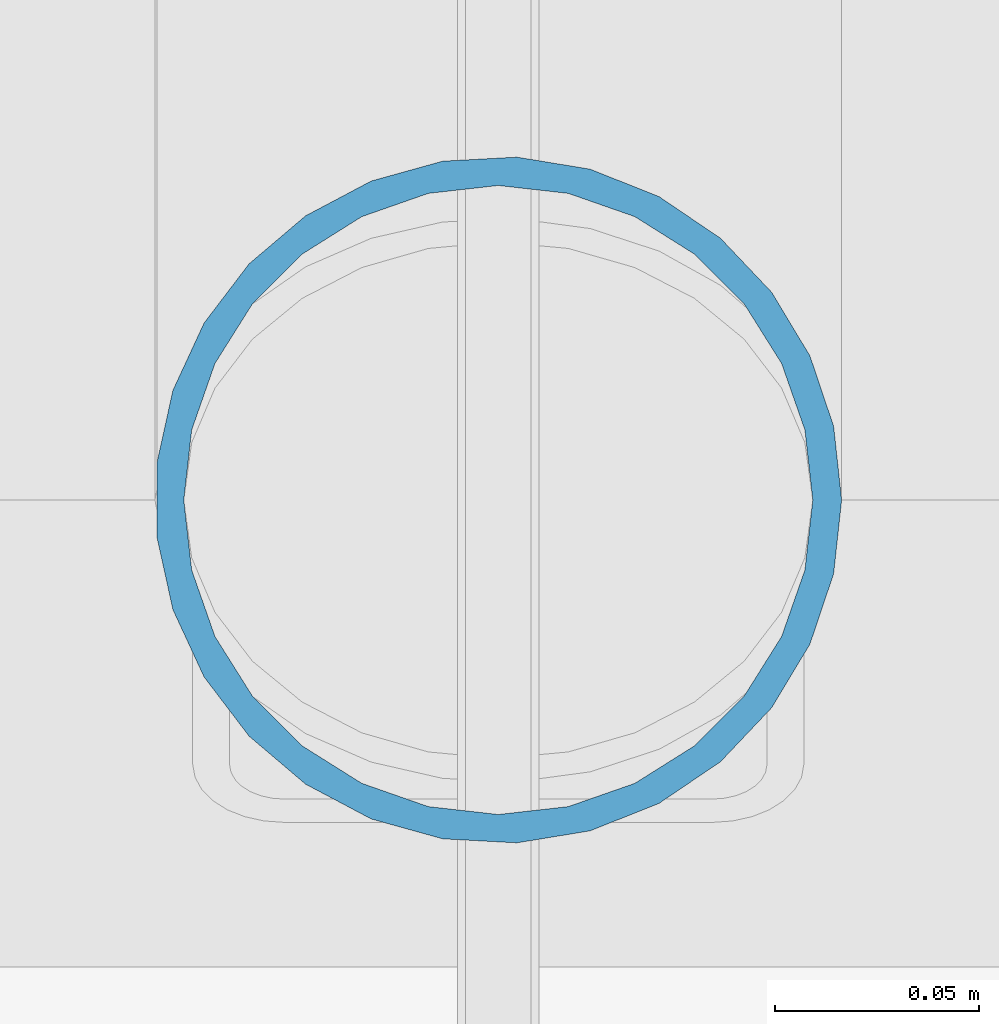
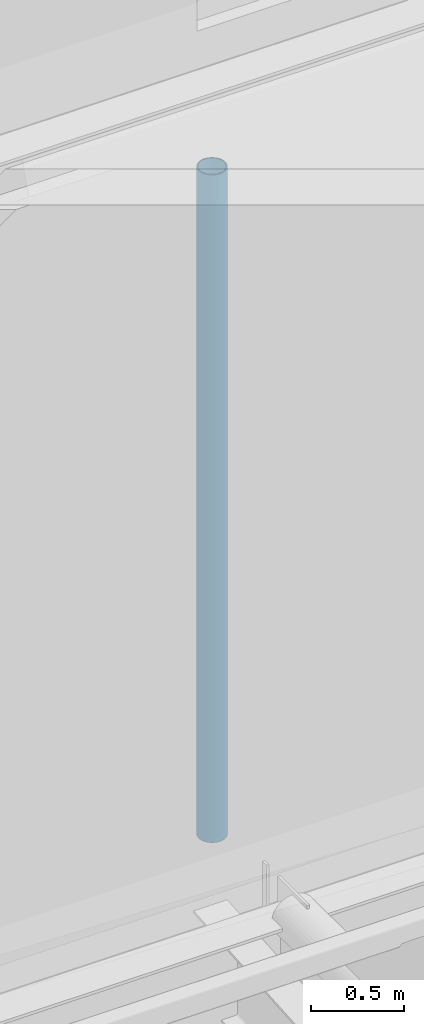
# One storey, part 19 of 55: 1 member.
"""IFC4 building model written with IfcOpenShell, lengths in metres."""

from ifc_helpers import new_model, si_unit, direction, frame, origin, origin_2d, place, context, subcontext, project, spatial, hollow_circle, extrude, material, material_profile, profile_set, type_object, element, save


model = new_model("IFC4")

# Units and contexts
model_context = context("Model", 3, precision=1e-05, world=origin(), true_north=direction((0.0, 1.0)))
body_context = subcontext(model_context, "Body", "Model", "MODEL_VIEW")
ifc_project = project(units=[si_unit("LENGTHUNIT", "METRE"), si_unit("AREAUNIT", "SQUARE_METRE"), si_unit("VOLUMEUNIT", "CUBIC_METRE"), si_unit("PLANEANGLEUNIT", "RADIAN"), si_unit("MASSUNIT", "GRAM", prefix="KILO")], contexts=[model_context])

# Site, building, storey
site_placement = place(None, origin())
site = spatial("IfcSite", under=ifc_project, at=site_placement, CompositionType="ELEMENT")
building_placement = place(site_placement, origin())
building = spatial("IfcBuilding", under=site, at=building_placement, Name="Tameran Prism Museum", CompositionType="ELEMENT")
storey_placement = place(building_placement, frame((0.0, 0.0, 28.800048828125)))
storey = spatial("IfcBuildingStorey", under=building, at=storey_placement, Name="L05", CompositionType="ELEMENT", Elevation=28.800048828125)

# Member
ifc_material = material(Name="Steel Grade C350L0 (350 MPa)", Category="steel")
ifc_material_profile = material_profile(ifc_material, hollow_circle(Radius=0.084228515625, WallThickness=0.007080078125, at=origin_2d()))
ifc_profile_set = profile_set([ifc_material_profile])
member_type = type_object("IfcMemberType", Name="MM-BR-CHS168", PredefinedType="BRACE", material=ifc_profile_set)
member_placement = place(storey_placement, frame((119.0, 86.93994140625, 6.385986328125), z_axis=(0.0, 0.0, 1.0), x_axis=(1.0, 0.0, 0.0)))
element("IfcMember", 1, at=member_placement, inside=storey, type_object=member_type, Name="Sawtooth Brace STM-0094", PredefinedType="BRACE", context=body_context, shape_type="SweptSolid", body=[
    extrude(hollow_circle(Radius=0.084228515625, WallThickness=0.007080078125, at=origin_2d()), origin(), (0.0, 0.0, 1.0), 4.40185546875),
])

save(model, "model.ifc")
